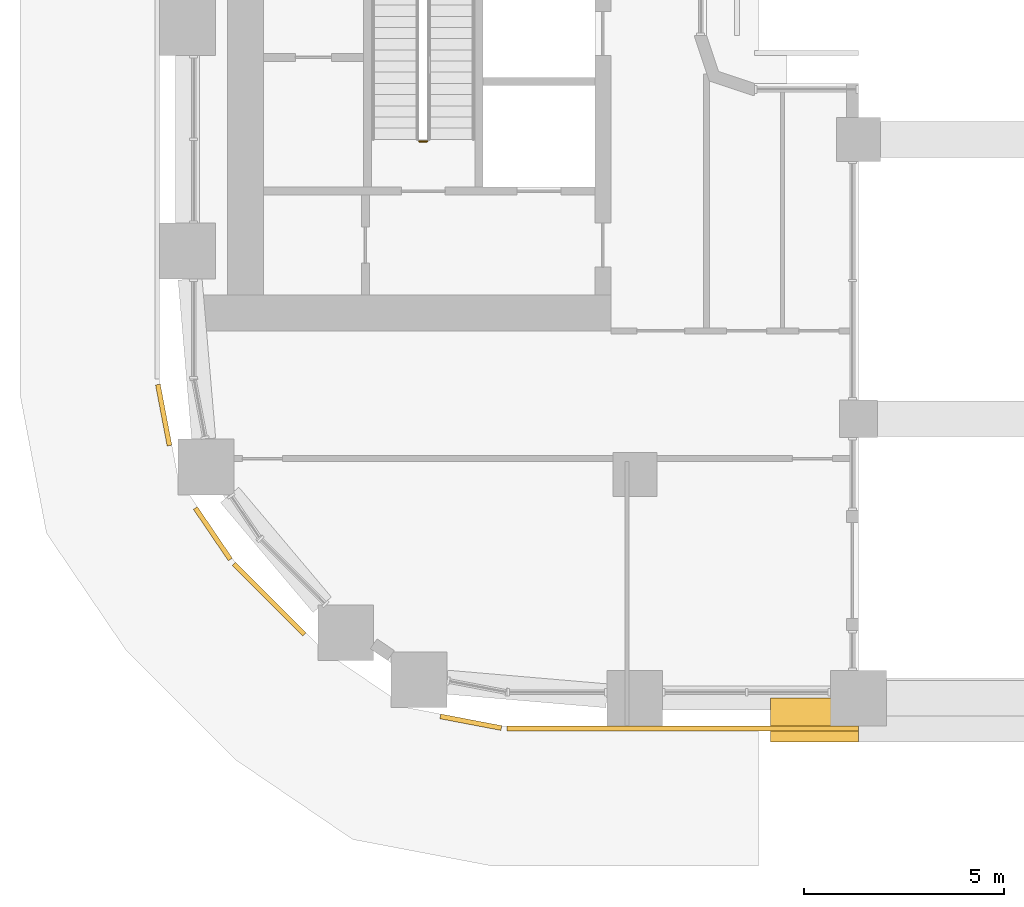
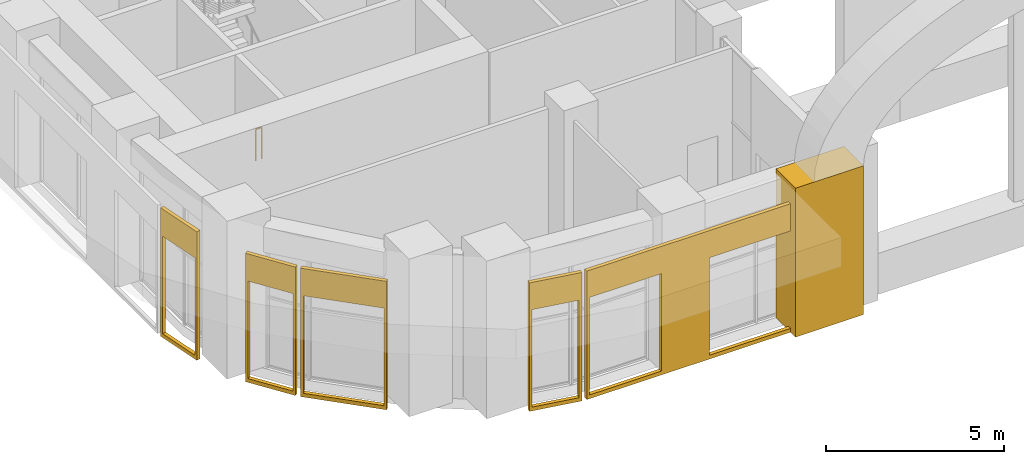
# One storey, part 19 of 27: 6 coverings, 1 railing.
"""IFC4 building model written with IfcOpenShell, lengths in metres."""

from ifc_helpers import new_model, si_unit, direction, frame, origin, origin_2d, place, context, subcontext, project, spatial, polyline, rectangle, circle, outline, extrude, material, layer, layer_set, type_object, element, save


model = new_model("IFC4")

# Units and contexts
model_context = context("Model", 3, precision=1e-05, world=origin(), true_north=direction((0.0, 1.0)))
body_context = subcontext(model_context, "Body", "Model", "MODEL_VIEW")
ifc_project = project(units=[si_unit("LENGTHUNIT", "METRE"), si_unit("AREAUNIT", "SQUARE_METRE"), si_unit("VOLUMEUNIT", "CUBIC_METRE"), si_unit("PLANEANGLEUNIT", "RADIAN"), si_unit("MASSUNIT", "GRAM", prefix="KILO")], contexts=[model_context])

# Site, building, storey
site_placement = place(None, origin())
site = spatial("IfcSite", under=ifc_project, at=site_placement, CompositionType="ELEMENT")
building_placement = place(site_placement, origin())
building = spatial("IfcBuilding", under=site, at=building_placement, Name="Kiln Ring Residences", CompositionType="ELEMENT")
storey_placement = place(building_placement, frame((0.0, 0.0, 72.5)))
storey = spatial("IfcBuildingStorey", under=building, at=storey_placement, Name="L18", CompositionType="ELEMENT", Elevation=72.5)

# Railing
ifc_material_1 = material(Name="Stainless steel", Category="steel")
railing_type = type_object("IfcRailingType", Name="CORE-STAIR-GUARD", PredefinedType="GUARDRAIL", material=ifc_material_1)
railing_placement = place(storey_placement, frame((-22.0, -8.449951171875, 0.0)))
element("IfcRailing", 1, at=railing_placement, inside=storey, type_object=railing_type, Name="L18 W-STS stair guard 4", PredefinedType="GUARDRAIL", context=body_context, shape_type="SweptSolid", body=[
    extrude(circle(Radius=0.02392578125, at=origin_2d()), frame((0.0, 0.0, 1.076171875), z_axis=(-1.0, 0.0, 0.0), x_axis=(0.0, -1.0, 0.0)), (0.0, 0.0, 1.0), 0.199951171875),
    extrude(circle(Radius=0.02099609375, at=origin_2d()), origin(), (0.0, 0.0, 1.0), 1.052001953125),
    extrude(circle(Radius=0.02099609375, at=origin_2d()), frame((-0.199951171875, 0.0, 0.0)), (0.0, 0.0, 1.0), 1.052001953125),
])

# Coverings
ifc_material_2 = material(Name="Concrete C35/45, exposed aggregate finish", Category="concrete")
covering_type_1 = type_object("IfcCoveringType", Name="PORTAL JAMB 1400 x 700", PredefinedType="CLADDING", material=ifc_material_2)
covering_1_placement = place(storey_placement, frame((-12.300048828125, -22.949951171875, 0.0), z_axis=(0.0, 0.0, 1.0), x_axis=(1.0, 0.0, 0.0)))
element("IfcCovering", 2, at=covering_1_placement, inside=storey, type_object=covering_type_1, Name="PORTAL JAMB L18", PredefinedType="CLADDING", context=body_context, shape_type="SweptSolid", body=[
    extrude(rectangle(XDim=2.199951171875, YDim=1.10009765625, at=origin_2d()), origin(), (0.0, 0.0, 1.0), 5.10009765625),
])
ifc_material_3 = material(Name="Brick masonry, dark clay brick", Category="masonry")
ifc_layer = layer(ifc_material_3, 0.1201171875)
ifc_layer_set = layer_set([ifc_layer], Name="RAINSCREEN PANEL 120")
covering_type_2 = type_object("IfcCoveringType", Name="RAINSCREEN PANEL 120", PredefinedType="CLADDING", material=ifc_layer_set)
for number, where, z_axis, x_axis, name in (
    (3, (-28.74658203125, -14.54248046875, 0.0), (0.0, 0.0, 1.0), (0.187328386968, -0.982297345734, 0.0), "RAINSCREEN L18"),
    (4, (-27.80615234375, -17.63720703125, 0.0), (0.0, 0.0, 1.0), (0.562099743321, -0.827069452076, 0.0), "RAINSCREEN L18"),
):
    element("IfcCovering", number, at=place(storey_placement, frame(where, z_axis=z_axis, x_axis=x_axis)), inside=storey, type_object=covering_type_2, Name=name, PredefinedType="CLADDING", context=body_context, shape_type="SweptSolid", body=[
        extrude(outline(polyline([(0.0, 0.0), (1.55615234375, 0.0), (1.55615234375, 4.39990234375), (0.0, 4.39990234375), (0.0, 0.0)]), holes=[polyline([(0.080078125, 3.469970703125), (0.080078125, 0.1298828125), (1.47607421875, 0.1298828125), (1.47607421875, 3.469970703125), (0.080078125, 3.469970703125)])]), frame((0.0, 0.06005859375, 0.0), z_axis=(0.0, -1.0, 0.0), x_axis=(1.0, 0.0, 0.0)), (0.0, 0.0, 1.0), 0.1201171875),
    ])
covering_2_placement = place(storey_placement, frame((-26.84033203125, -19.034423828125, 0.0), z_axis=(0.0, 0.0, 1.0), x_axis=(0.707106781187, -0.707106781187, 0.0)))
element("IfcCovering", 5, at=covering_2_placement, inside=storey, type_object=covering_type_2, Name="RAINSCREEN L18", PredefinedType="CLADDING", context=body_context, shape_type="SweptSolid", body=[
    extrude(outline(polyline([(0.0, 0.0), (2.5, 0.0), (2.5, 4.39990234375), (0.0, 4.39990234375), (0.0, 0.0)]), holes=[polyline([(0.080078125, 3.469970703125), (0.080078125, 0.1298828125), (2.419921875, 0.1298828125), (2.419921875, 3.469970703125), (0.080078125, 3.469970703125)])]), frame((0.0, 0.06005859375, 0.0), z_axis=(0.0, -1.0, 0.0), x_axis=(1.0, 0.0, 0.0)), (0.0, 0.0, 1.0), 0.1201171875),
])
covering_3_placement = place(storey_placement, frame((-21.6708984375, -22.85498046875, 0.0), z_axis=(0.0, 0.0, 1.0), x_axis=(0.982297345734, -0.187328386968, 0.0)))
element("IfcCovering", 6, at=covering_3_placement, inside=storey, type_object=covering_type_2, Name="RAINSCREEN L18", PredefinedType="CLADDING", context=body_context, shape_type="SweptSolid", body=[
    extrude(outline(polyline([(0.0, 0.0), (1.55615234375, 0.0), (1.55615234375, 4.39990234375), (0.0, 4.39990234375), (0.0, 0.0)]), holes=[polyline([(0.080078125, 3.469970703125), (0.080078125, 0.1298828125), (1.47607421875, 0.1298828125), (1.47607421875, 3.469970703125), (0.080078125, 3.469970703125)])]), frame((0.0, 0.06005859375, 0.0), z_axis=(0.0, -1.0, 0.0), x_axis=(1.0, 0.0, 0.0)), (0.0, 0.0, 1.0), 0.1201171875),
])
covering_4_placement = place(storey_placement, frame((-20.0, -23.159912109375, 0.0), z_axis=(0.0, 0.0, 1.0), x_axis=(1.0, 0.0, 0.0)))
element("IfcCovering", 7, at=covering_4_placement, inside=storey, type_object=covering_type_2, Name="RAINSCREEN L18", PredefinedType="CLADDING", context=body_context, shape_type="SweptSolid", body=[
    extrude(outline(polyline([(0.0, 0.0), (8.800048828125, 0.0), (8.800048828125, 4.39990234375), (0.0, 4.39990234375), (0.0, 0.0)]), holes=[polyline([(2.419921875, 3.469970703125), (0.080078125, 3.469970703125), (0.080078125, 0.1298828125), (2.419921875, 0.1298828125), (2.419921875, 3.469970703125)]), polyline([(8.02001953125, 3.469970703125), (3.97998046875, 3.469970703125), (3.97998046875, 0.1298828125), (8.02001953125, 0.1298828125), (8.02001953125, 3.469970703125)])]), frame((0.0, 0.06005859375, 0.0), z_axis=(0.0, -1.0, 0.0), x_axis=(1.0, 0.0, 0.0)), (0.0, 0.0, 1.0), 0.1201171875),
])

save(model, "model.ifc")
